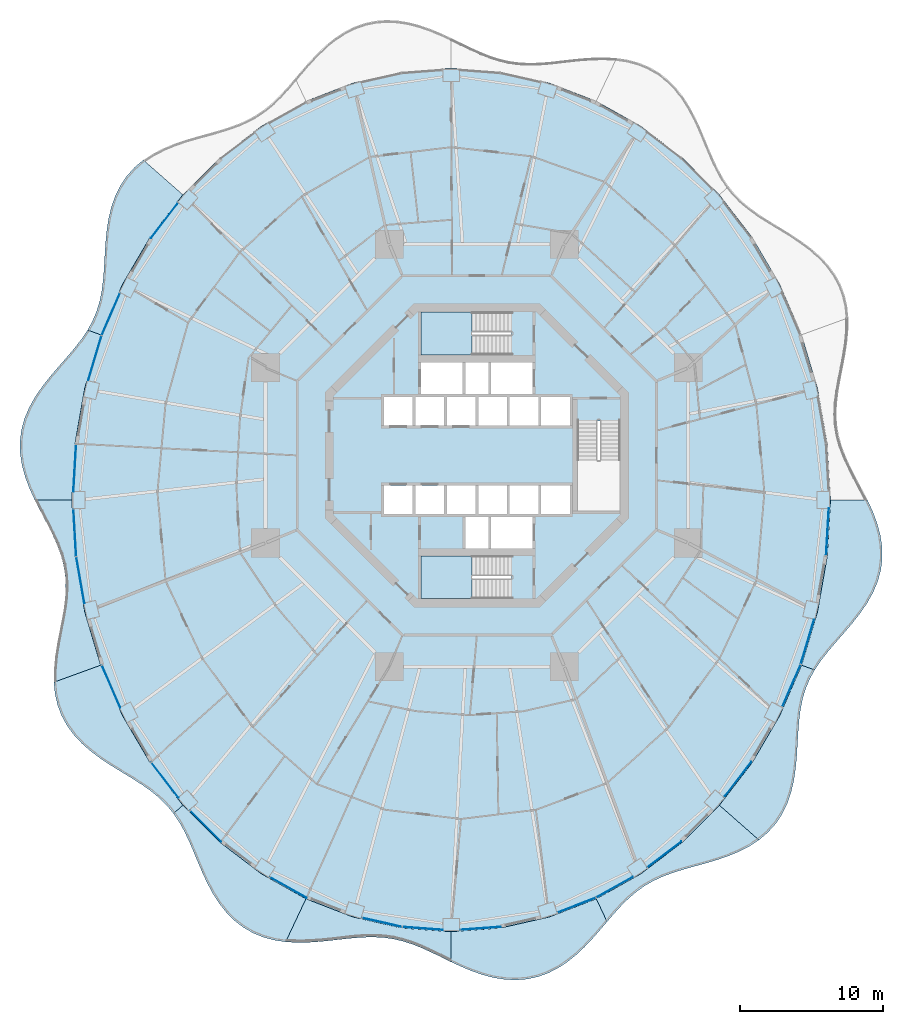
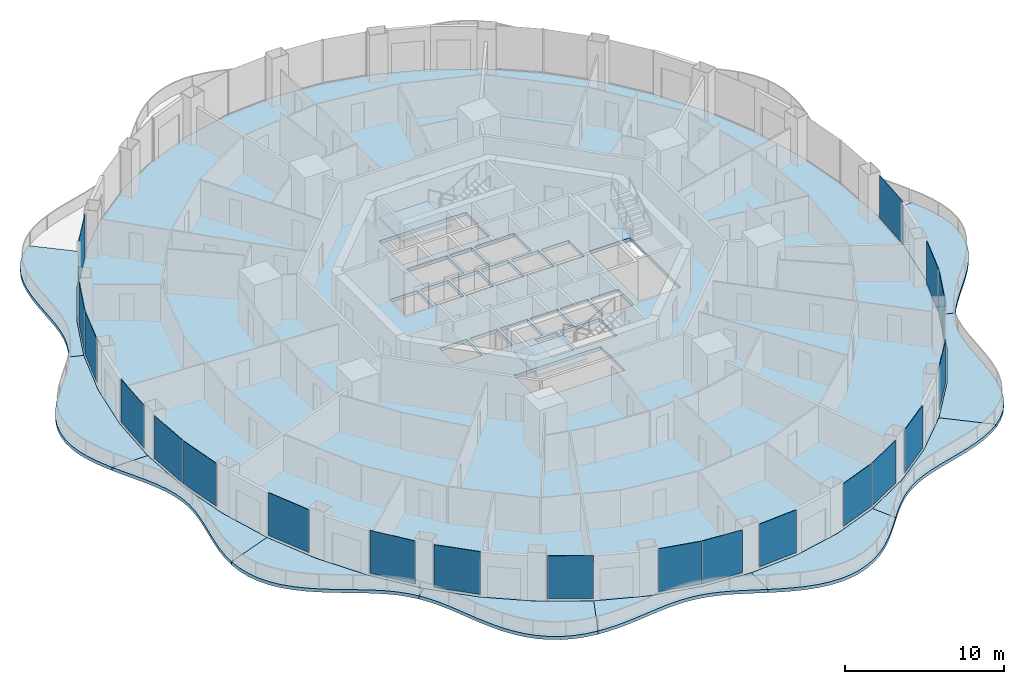
# One storey, part 10 of 20: 20 plates, 13 slabs, 22 elements without a shape of their own.
"""IFC4 building model written with IfcOpenShell, lengths in metres."""

from ifc_helpers import new_model, si_unit, direction, frame, origin, origin_2d, place, context, subcontext, project, spatial, polyline, rectangle, outline, extrude, material, layer, layer_set, type_object, element, aggregate, save


model = new_model("IFC4")

# Units and contexts
model_context = context("Model", 3, precision=1e-05, world=origin(), true_north=direction((0.0, 1.0)))
body_context = subcontext(model_context, "Body", "Model", "MODEL_VIEW")
ifc_project = project(units=[si_unit("LENGTHUNIT", "METRE"), si_unit("AREAUNIT", "SQUARE_METRE"), si_unit("VOLUMEUNIT", "CUBIC_METRE"), si_unit("PLANEANGLEUNIT", "RADIAN"), si_unit("MASSUNIT", "GRAM", prefix="KILO")], contexts=[model_context])

# Site, building, storey
site_placement = place(None, origin())
site = spatial("IfcSite", under=ifc_project, at=site_placement, CompositionType="ELEMENT")
building_placement = place(site_placement, origin())
building = spatial("IfcBuilding", under=site, at=building_placement, Name="Nagisa Residences", CompositionType="ELEMENT")
storey_placement = place(building_placement, frame((0.0, 0.0, 152.89990234375)))
storey = spatial("IfcBuildingStorey", under=building, at=storey_placement, Name="L38", CompositionType="ELEMENT", Elevation=152.89990234375)

# Slabs
ifc_material_1 = material(Name="Concrete C40/50", Category="concrete")
ifc_layer_1 = layer(ifc_material_1, 0.25)
ifc_layer_set_1 = layer_set([ifc_layer_1], Name="BALCONY SLAB 250")
slab_type_1 = type_object("IfcSlabType", Name="BALCONY SLAB 250", PredefinedType="FLOOR", material=ifc_layer_set_1)
slab_1_placement = place(storey_placement, frame((0.0, 0.0, -0.25)))
element("IfcSlab", 1, at=slab_1_placement, inside=storey, type_object=slab_type_1, Name="slab:L38:bal06", PredefinedType="FLOOR", context=body_context, shape_type="SweptSolid", body=[
    extrude(outline(polyline([(-23.328125, 20.663330078125), (-23.9521484375, 20.13525390625), (-24.492431640625, 19.533203125), (-24.942626953125, 18.86083984375), (-25.30126953125, 18.126708984375), (-25.572265625, 17.341796875), (-25.764892578125, 16.51904296875), (-25.892578125, 15.673095703125), (-25.972900390625, 14.818115234375), (-26.025634765625, 13.967529296875), (-26.072265625, 13.13330078125), (-26.134033203125, 12.324462890625), (-26.23046875, 11.54736328125), (-26.378173828125, 10.8046875), (-26.58935546875, 10.0966796875), (-26.871826171875, 9.420166015625), (-27.226806640625, 8.769287109375), (-26.315185546875, 8.4375), (-24.780029296875, 11.979736328125), (-22.8515625, 15.263916015625), (-20.56298828125, 18.2333984375), (-23.328125, 20.663330078125)])), origin(), (0.0, 0.0, 1.0), 0.25),
])
slab_2_placement = place(storey_placement, frame((0.0, 0.0, -0.25)))
element("IfcSlab", 2, at=slab_2_placement, inside=storey, type_object=slab_type_1, Name="slab:L38:bal07", PredefinedType="FLOOR", context=body_context, shape_type="SweptSolid", body=[
    extrude(outline(polyline([(-27.226806640625, 8.769287109375), (-27.6650390625, 8.11669921875), (-28.16552734375, 7.474365234375), (-28.71142578125, 6.831787109375), (-29.28173828125, 6.180419921875), (-29.852294921875, 5.51171875), (-30.39697265625, 4.819580078125), (-30.890625, 4.100830078125), (-31.31005859375, 3.35400390625), (-31.635498046875, 2.58056640625), (-31.853271484375, 1.78466796875), (-31.955322265625, 0.97119140625), (-31.940185546875, 0.1474609375), (-31.81396484375, -0.6796875), (-31.589111328125, -1.50341796875), (-31.283447265625, -2.3173828125), (-30.919677734375, -3.11767578125), (-28.3349609375, -3.11767578125), (-28.10791015625, 0.823486328125), (-27.430908203125, 4.697265625), (-26.315185546875, 8.4375), (-27.226806640625, 8.769287109375)])), origin(), (0.0, 0.0, 1.0), 0.25),
])
slab_3_placement = place(storey_placement, frame((0.0, 0.0, -0.25)))
element("IfcSlab", 3, at=slab_3_placement, inside=storey, type_object=slab_type_1, Name="slab:L38:bal08", PredefinedType="FLOOR", context=body_context, shape_type="SweptSolid", body=[
    extrude(outline(polyline([(-30.919677734375, -3.11767578125), (-30.523193359375, -3.901611328125), (-30.12060546875, -4.6689453125), (-29.737548828125, -5.421875), (-29.397216796875, -6.163818359375), (-29.11865234375, -6.900634765625), (-28.915283203125, -7.638916015625), (-28.794189453125, -8.384765625), (-28.755615234375, -9.144775390625), (-28.792724609375, -9.923828125), (-28.892822265625, -10.72509765625), (-29.037109375, -11.54931640625), (-29.203125, -12.394775390625), (-29.365966796875, -13.2568359375), (-29.499755859375, -14.128662109375), (-29.580322265625, -15.0009765625), (-29.585693359375, -15.86328125), (-26.315185546875, -14.6728515625), (-27.430908203125, -10.9326171875), (-28.10791015625, -7.058837890625), (-28.3349609375, -3.11767578125), (-30.919677734375, -3.11767578125)])), origin(), (0.0, 0.0, 1.0), 0.25),
])
slab_4_placement = place(storey_placement, frame((0.0, 0.0, -0.25)))
element("IfcSlab", 4, at=slab_4_placement, inside=storey, type_object=slab_type_1, Name="slab:L38:bal09", PredefinedType="FLOOR", context=body_context, shape_type="SweptSolid", body=[
    extrude(outline(polyline([(-29.585693359375, -15.86328125), (-29.502685546875, -16.67919921875), (-29.322021484375, -17.46533203125), (-29.038330078125, -18.213134765625), (-28.65185546875, -18.916015625), (-28.169189453125, -19.56884765625), (-27.6015625, -20.170654296875), (-26.96435546875, -20.722900390625), (-26.27685546875, -21.231201171875), (-25.5595703125, -21.703369140625), (-24.833984375, -22.150390625), (-24.120361328125, -22.585205078125), (-23.436279296875, -23.021728515625), (-22.79638671875, -23.473876953125), (-22.210693359375, -23.954833984375), (-21.684326171875, -24.475341796875), (-21.216796875, -25.043212890625), (-20.56298828125, -24.46875), (-22.8515625, -21.499267578125), (-24.780029296875, -18.215087890625), (-26.315185546875, -14.6728515625), (-29.585693359375, -15.86328125)])), origin(), (0.0, 0.0, 1.0), 0.25),
])
slab_5_placement = place(storey_placement, frame((0.0, 0.0, -0.25)))
element("IfcSlab", 5, at=slab_5_placement, inside=storey, type_object=slab_type_1, Name="slab:L38:bal10", PredefinedType="FLOOR", context=body_context, shape_type="SweptSolid", body=[
    extrude(outline(polyline([(-21.216796875, -25.043212890625), (-20.82177734375, -25.633056640625), (-20.467529296875, -26.269775390625), (-20.142578125, -26.94970703125), (-19.833984375, -27.665771484375), (-19.526611328125, -28.406982421875), (-19.205810546875, -29.15966796875), (-18.856689453125, -29.907958984375), (-18.467529296875, -30.634765625), (-18.027587890625, -31.322998046875), (-17.5302734375, -31.9560546875), (-16.971923828125, -32.519287109375), (-16.3525390625, -33.00146484375), (-15.67529296875, -33.39453125), (-14.947021484375, -33.69482421875), (-14.176513671875, -33.90380859375), (-13.374267578125, -34.026611328125), (-11.95458984375, -31.01416015625), (-15.0673828125, -29.267333984375), (-17.953369140625, -27.072998046875), (-20.56298828125, -24.46875), (-21.216796875, -25.043212890625)])), origin(), (0.0, 0.0, 1.0), 0.25),
])
slab_6_placement = place(storey_placement, frame((0.0, 0.0, -0.25)))
element("IfcSlab", 6, at=slab_6_placement, inside=storey, type_object=slab_type_1, Name="slab:L38:bal11", PredefinedType="FLOOR", context=body_context, shape_type="SweptSolid", body=[
    extrude(outline(polyline([(-13.374267578125, -34.026611328125), (-12.58203125, -34.072998046875), (-11.781005859375, -34.0615234375), (-10.9814453125, -34.007080078125), (-10.19140625, -33.9267578125), (-9.41748046875, -33.83837890625), (-8.6640625, -33.759033203125), (-7.932861328125, -33.705322265625), (-7.223876953125, -33.69091796875), (-6.534423828125, -33.72705078125), (-5.85986328125, -33.8203125), (-5.1953125, -33.9736328125), (-4.53369140625, -34.18505859375), (-3.86865234375, -34.4482421875), (-3.194580078125, -34.7529296875), (-2.506103515625, -35.085205078125), (-1.800048828125, -35.427978515625), (-1.800048828125, -33.312744140625), (-5.263427734375, -33.054443359375), (-8.667724609375, -32.283935546875), (-11.95458984375, -31.01416015625), (-13.374267578125, -34.026611328125)])), origin(), (0.0, 0.0, 1.0), 0.25),
])
slab_7_placement = place(storey_placement, frame((0.0, 0.0, -0.25)))
element("IfcSlab", 7, at=slab_7_placement, inside=storey, type_object=slab_type_1, Name="slab:L38:bal12", PredefinedType="FLOOR", context=body_context, shape_type="SweptSolid", body=[
    extrude(outline(polyline([(-1.800048828125, -35.427978515625), (-1.074951171875, -35.763427734375), (-0.331298828125, -36.07177734375), (0.42822265625, -36.334716796875), (1.19873046875, -36.534912109375), (1.974365234375, -36.65771484375), (2.747802734375, -36.69189453125), (3.510986328125, -36.630126953125), (4.25634765625, -36.4697265625), (4.976806640625, -36.2119140625), (5.66650390625, -35.86328125), (6.322021484375, -35.433837890625), (6.94140625, -34.93701171875), (7.525390625, -34.388916015625), (8.0771484375, -33.806884765625), (8.6025390625, -33.20947265625), (9.108642578125, -32.6142578125), (8.3544921875, -31.01416015625), (5.06787109375, -32.283935546875), (1.66357421875, -33.054443359375), (-1.800048828125, -33.312744140625), (-1.800048828125, -35.427978515625)])), origin(), (0.0, 0.0, 1.0), 0.25),
])
slab_8_placement = place(storey_placement, frame((0.0, 0.0, -0.25)))
element("IfcSlab", 8, at=slab_8_placement, inside=storey, type_object=slab_type_1, Name="slab:L38:bal13", PredefinedType="FLOOR", context=body_context, shape_type="SweptSolid", body=[
    extrude(outline(polyline([(9.108642578125, -32.6142578125), (9.623046875, -32.01611328125), (10.1376953125, -31.453369140625), (10.663330078125, -30.937744140625), (11.21044921875, -30.476806640625), (11.7880859375, -30.07373046875), (12.40234375, -29.726806640625), (13.056884765625, -29.430419921875), (13.751708984375, -29.175048828125), (14.4833984375, -28.94775390625), (15.244873046875, -28.734130859375), (16.025634765625, -28.51806640625), (16.813232421875, -28.283935546875), (17.593017578125, -28.0166015625), (18.348876953125, -27.703125), (19.0654296875, -27.332763671875), (19.728271484375, -26.898681640625), (16.963134765625, -24.46875), (14.353515625, -27.072998046875), (11.467529296875, -29.267333984375), (8.3544921875, -31.01416015625), (9.108642578125, -32.6142578125)])), origin(), (0.0, 0.0, 1.0), 0.25),
])
slab_9_placement = place(storey_placement, frame((0.0, 0.0, -0.25)))
element("IfcSlab", 9, at=slab_9_placement, inside=storey, type_object=slab_type_1, Name="slab:L38:bal14", PredefinedType="FLOOR", context=body_context, shape_type="SweptSolid", body=[
    extrude(outline(polyline([(19.728271484375, -26.898681640625), (20.35205078125, -26.370849609375), (20.892333984375, -25.7685546875), (21.342529296875, -25.09619140625), (21.701171875, -24.3623046875), (21.972412109375, -23.5771484375), (22.164794921875, -22.754638671875), (22.292724609375, -21.908447265625), (22.372802734375, -21.053466796875), (22.425537109375, -20.203125), (22.47216796875, -19.36865234375), (22.533935546875, -18.559814453125), (22.63037109375, -17.78271484375), (22.778076171875, -17.040283203125), (22.989501953125, -16.332275390625), (23.271728515625, -15.655517578125), (23.626953125, -15.004638671875), (22.715087890625, -14.6728515625), (21.179931640625, -18.215087890625), (19.251708984375, -21.499267578125), (16.963134765625, -24.46875), (19.728271484375, -26.898681640625)])), origin(), (0.0, 0.0, 1.0), 0.25),
])
slab_10_placement = place(storey_placement, frame((0.0, 0.0, -0.25)))
element("IfcSlab", 10, at=slab_10_placement, inside=storey, type_object=slab_type_1, Name="slab:L38:bal15", PredefinedType="FLOOR", context=body_context, shape_type="SweptSolid", body=[
    extrude(outline(polyline([(23.626953125, -15.004638671875), (24.065185546875, -14.35205078125), (24.5654296875, -13.709716796875), (25.111328125, -13.067138671875), (25.681640625, -12.415771484375), (26.252197265625, -11.7470703125), (26.796875, -11.054931640625), (27.29052734375, -10.336181640625), (27.7099609375, -9.58935546875), (28.03564453125, -8.81591796875), (28.25341796875, -8.02001953125), (28.355224609375, -7.20654296875), (28.340087890625, -6.3828125), (28.2138671875, -5.5556640625), (27.989013671875, -4.73193359375), (27.683349609375, -3.91796875), (27.319580078125, -3.11767578125), (24.735107421875, -3.11767578125), (24.508056640625, -7.058837890625), (23.830810546875, -10.9326171875), (22.715087890625, -14.6728515625), (23.626953125, -15.004638671875)])), origin(), (0.0, 0.0, 1.0), 0.25),
])

# Curtain wall, plate
ifc_material_2 = material(Name="Concrete-coloured aluminium curtain wall system", Category="concrete")
ifc_layer_2 = layer(ifc_material_2, 0.159912109375)
ifc_layer_set_2 = layer_set([ifc_layer_2], Name="CW1 CURTAIN WALL")
curtain_wall_type = type_object("IfcCurtainWallType", Name="CW1 CURTAIN WALL", PredefinedType="NOTDEFINED", material=ifc_layer_set_2)
curtain_wall_1_placement = place(storey_placement, origin())
curtain_wall_1 = element("IfcCurtainWall", 11, at=curtain_wall_1_placement, inside=storey, type_object=curtain_wall_type, Name="cw:CW1:L38:18", PredefinedType="NOTDEFINED")
ifc_material_3 = material(Name="Clear laminated glass", Category="glass")
ifc_layer_3 = layer(ifc_material_3, 0.028076171875)
ifc_layer_set_3 = layer_set([ifc_layer_3], Name="CW1 GLASS PANEL")
plate_type = type_object("IfcPlateType", Name="CW1 GLASS PANEL", PredefinedType="CURTAIN_PANEL", material=ifc_layer_set_3)
plate_1_placement = place(storey_placement, frame((-21.845458984375, 16.4384765625, 0.150146484375), z_axis=(0.0, 0.0, 1.0), x_axis=(-0.610429828235, -0.792070340816, 0.0)))
plate_1 = element("IfcPlate", 12, at=plate_1_placement, type_object=plate_type, Name="CW1 panel", PredefinedType="CURTAIN_PANEL", context=body_context, shape_type="SweptSolid", body=[
    extrude(rectangle(XDim=3.089111328125, YDim=0.028076171875, at=origin_2d()), origin(), (0.0, 0.0, 1.0), 3.2900390625),
])
aggregate(curtain_wall_1, [plate_1])

curtain_wall_2_placement = place(storey_placement, origin())
curtain_wall_2 = element("IfcCurtainWall", 13, at=curtain_wall_2_placement, inside=storey, type_object=curtain_wall_type, Name="cw:CW1:L38:20", PredefinedType="NOTDEFINED")
plate_2_placement = place(storey_placement, frame((-25.60546875, 9.8740234375, 0.150146484375), z_axis=(0.0, 0.0, 1.0), x_axis=(-0.397635934147, -0.917543276295, 0.0)))
plate_2 = element("IfcPlate", 14, at=plate_2_placement, type_object=plate_type, Name="CW1 panel", PredefinedType="CURTAIN_PANEL", context=body_context, shape_type="SweptSolid", body=[
    extrude(rectangle(XDim=3.20068359375, YDim=0.028076171875, at=origin_2d()), origin(), (0.0, 0.0, 1.0), 3.2900390625),
])
aggregate(curtain_wall_2, [plate_2])

curtain_wall_3_placement = place(storey_placement, origin())
curtain_wall_3 = element("IfcCurtainWall", 15, at=curtain_wall_3_placement, inside=storey, type_object=curtain_wall_type, Name="cw:CW1:L38:21", PredefinedType="NOTDEFINED")
plate_3_placement = place(storey_placement, frame((-26.71923828125, 6.80322265625, 0.150146484375), z_axis=(0.0, 0.0, 1.0), x_axis=(-0.285860274038, -0.958271310082, 0.0)))
plate_3 = element("IfcPlate", 16, at=plate_3_placement, type_object=plate_type, Name="CW1 panel", PredefinedType="CURTAIN_PANEL", context=body_context, shape_type="SweptSolid", body=[
    extrude(rectangle(XDim=3.242919921875, YDim=0.028076171875, at=origin_2d()), origin(), (0.0, 0.0, 1.0), 3.2900390625),
])
aggregate(curtain_wall_3, [plate_3])

curtain_wall_4_placement = place(storey_placement, origin())
curtain_wall_4 = element("IfcCurtainWall", 17, at=curtain_wall_4_placement, inside=storey, type_object=curtain_wall_type, Name="cw:CW1:L38:23", PredefinedType="NOTDEFINED")
plate_4_placement = place(storey_placement, frame((-28.126220703125, -0.882080078125, 0.150146484375), z_axis=(0.0, 0.0, 1.0), x_axis=(-0.057503492216, -0.998345305184, 0.0)))
plate_4 = element("IfcPlate", 18, at=plate_4_placement, type_object=plate_type, Name="CW1 panel", PredefinedType="CURTAIN_PANEL", context=body_context, shape_type="SweptSolid", body=[
    extrude(rectangle(XDim=3.287841796875, YDim=0.028076171875, at=origin_2d()), origin(), (0.0, 0.0, 1.0), 3.2900390625),
])
aggregate(curtain_wall_4, [plate_4])

curtain_wall_5_placement = place(storey_placement, origin())
curtain_wall_5 = element("IfcCurtainWall", 19, at=curtain_wall_5_placement, inside=storey, type_object=curtain_wall_type, Name="cw:CW1:L38:24", PredefinedType="NOTDEFINED")
plate_5_placement = place(storey_placement, frame((-28.12255859375, -5.4130859375, 0.150146484375), z_axis=(0.0, 0.0, 1.0), x_axis=(0.057503492216, -0.998345305184, 0.0)))
plate_5 = element("IfcPlate", 20, at=plate_5_placement, type_object=plate_type, Name="CW1 panel", PredefinedType="CURTAIN_PANEL", context=body_context, shape_type="SweptSolid", body=[
    extrude(rectangle(XDim=3.287841796875, YDim=0.028076171875, at=origin_2d()), origin(), (0.0, 0.0, 1.0), 3.2900390625),
])
aggregate(curtain_wall_5, [plate_5])

curtain_wall_6_placement = place(storey_placement, origin())
curtain_wall_6 = element("IfcCurtainWall", 21, at=curtain_wall_6_placement, inside=storey, type_object=curtain_wall_type, Name="cw:CW1:L38:25", PredefinedType="NOTDEFINED")
plate_6_placement = place(storey_placement, frame((-27.737060546875, -8.716064453125, 0.150146484375), z_axis=(0.0, 0.0, 1.0), x_axis=(0.172190868898, -0.985063604377, 0.0)))
plate_6 = element("IfcPlate", 22, at=plate_6_placement, type_object=plate_type, Name="CW1 panel", PredefinedType="CURTAIN_PANEL", context=body_context, shape_type="SweptSolid", body=[
    extrude(rectangle(XDim=3.2724609375, YDim=0.028076171875, at=origin_2d()), origin(), (0.0, 0.0, 1.0), 3.2900390625),
])
aggregate(curtain_wall_6, [plate_6])

curtain_wall_7_placement = place(storey_placement, origin())
curtain_wall_7 = element("IfcCurtainWall", 23, at=curtain_wall_7_placement, inside=storey, type_object=curtain_wall_type, Name="cw:CW1:L38:27", PredefinedType="NOTDEFINED")
plate_7_placement = place(storey_placement, frame((-25.58154296875, -16.16455078125, 0.150146484375), z_axis=(0.0, 0.0, 1.0), x_axis=(0.397635934147, -0.917543276295, 0.0)))
plate_7 = element("IfcPlate", 24, at=plate_7_placement, type_object=plate_type, Name="CW1 panel", PredefinedType="CURTAIN_PANEL", context=body_context, shape_type="SweptSolid", body=[
    extrude(rectangle(XDim=3.20068359375, YDim=0.028076171875, at=origin_2d()), origin(), (0.0, 0.0, 1.0), 3.2900390625),
])
aggregate(curtain_wall_7, [plate_7])

curtain_wall_8_placement = place(storey_placement, origin())
curtain_wall_8 = element("IfcCurtainWall", 25, at=curtain_wall_8_placement, inside=storey, type_object=curtain_wall_type, Name="cw:CW1:L38:29", PredefinedType="NOTDEFINED")
plate_8_placement = place(storey_placement, frame((-21.808837890625, -22.721435546875, 0.150146484375), z_axis=(0.0, 0.0, 1.0), x_axis=(0.610429828235, -0.792070340816, 0.0)))
plate_8 = element("IfcPlate", 26, at=plate_8_placement, type_object=plate_type, Name="CW1 panel", PredefinedType="CURTAIN_PANEL", context=body_context, shape_type="SweptSolid", body=[
    extrude(rectangle(XDim=3.089111328125, YDim=0.028076171875, at=origin_2d()), origin(), (0.0, 0.0, 1.0), 3.2900390625),
])
aggregate(curtain_wall_8, [plate_8])

curtain_wall_9_placement = place(storey_placement, origin())
curtain_wall_9 = element("IfcCurtainWall", 27, at=curtain_wall_9_placement, inside=storey, type_object=curtain_wall_type, Name="cw:CW1:L38:30", PredefinedType="NOTDEFINED")
plate_9_placement = place(storey_placement, frame((-18.96826171875, -25.947265625, 0.150146484375), z_axis=(0.0, 0.0, 1.0), x_axis=(0.707835924016, -0.706376885714, 0.0)))
plate_9 = element("IfcPlate", 28, at=plate_9_placement, type_object=plate_type, Name="CW1 panel", PredefinedType="CURTAIN_PANEL", context=body_context, shape_type="SweptSolid", body=[
    extrude(rectangle(XDim=3.026611328125, YDim=0.028076171875, at=origin_2d()), origin(), (0.0, 0.0, 1.0), 3.2900390625),
])
aggregate(curtain_wall_9, [plate_9])

curtain_wall_10_placement = place(storey_placement, origin())
curtain_wall_10 = element("IfcCurtainWall", 29, at=curtain_wall_10_placement, inside=storey, type_object=curtain_wall_type, Name="cw:CW1:L38:32", PredefinedType="NOTDEFINED")
plate_10_placement = place(storey_placement, frame((-13.18408203125, -30.232421875, 0.150146484375), z_axis=(0.0, 0.0, 1.0), x_axis=(0.872072377523, -0.489376918501, 0.0)))
plate_10 = element("IfcPlate", 30, at=plate_10_placement, type_object=plate_type, Name="CW1 panel", PredefinedType="CURTAIN_PANEL", context=body_context, shape_type="SweptSolid", body=[
    extrude(rectangle(XDim=2.90966796875, YDim=0.028076171875, at=origin_2d()), origin(), (0.0, 0.0, 1.0), 3.2900390625),
])
aggregate(curtain_wall_10, [plate_10])

curtain_wall_11_placement = place(storey_placement, origin())
curtain_wall_11 = element("IfcCurtainWall", 31, at=curtain_wall_11_placement, inside=storey, type_object=curtain_wall_type, Name="cw:CW1:L38:34", PredefinedType="NOTDEFINED")
plate_11_placement = place(storey_placement, frame((-6.626220703125, -32.663818359375, 0.150146484375), z_axis=(0.0, 0.0, 1.0), x_axis=(0.975327274089, -0.2207639201, 0.0)))
plate_11 = element("IfcPlate", 32, at=plate_11_placement, type_object=plate_type, Name="CW1 panel", PredefinedType="CURTAIN_PANEL", context=body_context, shape_type="SweptSolid", body=[
    extrude(rectangle(XDim=2.830322265625, YDim=0.028076171875, at=origin_2d()), origin(), (0.0, 0.0, 1.0), 3.2900390625),
])
aggregate(curtain_wall_11, [plate_11])

curtain_wall_12_placement = place(storey_placement, origin())
curtain_wall_12 = element("IfcCurtainWall", 33, at=curtain_wall_12_placement, inside=storey, type_object=curtain_wall_type, Name="cw:CW1:L38:35", PredefinedType="NOTDEFINED")
plate_12_placement = place(storey_placement, frame((-3.795166015625, -33.083740234375, 0.150146484375), z_axis=(0.0, 0.0, 1.0), x_axis=(0.997230168512, -0.074377355493, 0.0)))
plate_12 = element("IfcPlate", 34, at=plate_12_placement, type_object=plate_type, Name="CW1 panel", PredefinedType="CURTAIN_PANEL", context=body_context, shape_type="SweptSolid", body=[
    extrude(rectangle(XDim=2.813232421875, YDim=0.028076171875, at=origin_2d()), origin(), (0.0, 0.0, 1.0), 3.2900390625),
])
aggregate(curtain_wall_12, [plate_12])

curtain_wall_13_placement = place(storey_placement, origin())
curtain_wall_13 = element("IfcCurtainWall", 35, at=curtain_wall_13_placement, inside=storey, type_object=curtain_wall_type, Name="cw:CW1:L38:36", PredefinedType="NOTDEFINED")
plate_13_placement = place(storey_placement, frame((0.2548828125, -33.0791015625, 0.150146484375), z_axis=(0.0, 0.0, 1.0), x_axis=(0.997230168512, 0.074377355493, 0.0)))
plate_13 = element("IfcPlate", 36, at=plate_13_placement, type_object=plate_type, Name="CW1 panel", PredefinedType="CURTAIN_PANEL", context=body_context, shape_type="SweptSolid", body=[
    extrude(rectangle(XDim=2.813232421875, YDim=0.028076171875, at=origin_2d()), origin(), (0.0, 0.0, 1.0), 3.2900390625),
])
aggregate(curtain_wall_13, [plate_13])

curtain_wall_14_placement = place(storey_placement, origin())
curtain_wall_14 = element("IfcCurtainWall", 37, at=curtain_wall_14_placement, inside=storey, type_object=curtain_wall_type, Name="cw:CW1:L38:38", PredefinedType="NOTDEFINED")
plate_14_placement = place(storey_placement, frame((6.990234375, -31.45556640625, 0.150146484375), z_axis=(0.0, 0.0, 1.0), x_axis=(0.932825759707, 0.360327770268, 0.0)))
plate_14 = element("IfcPlate", 38, at=plate_14_placement, type_object=plate_type, Name="CW1 panel", PredefinedType="CURTAIN_PANEL", context=body_context, shape_type="SweptSolid", body=[
    extrude(rectangle(XDim=2.863525390625, YDim=0.028076171875, at=origin_2d()), origin(), (0.0, 0.0, 1.0), 3.2900390625),
])
aggregate(curtain_wall_14, [plate_14])

curtain_wall_15_placement = place(storey_placement, origin())
curtain_wall_15 = element("IfcCurtainWall", 39, at=curtain_wall_15_placement, inside=storey, type_object=curtain_wall_type, Name="cw:CW1:L38:39", PredefinedType="NOTDEFINED")
plate_15_placement = place(storey_placement, frame((9.636474609375, -30.203125, 0.150146484375), z_axis=(0.0, 0.0, 1.0), x_axis=(0.872072377523, 0.489376918501, 0.0)))
plate_15 = element("IfcPlate", 40, at=plate_15_placement, type_object=plate_type, Name="CW1 panel", PredefinedType="CURTAIN_PANEL", context=body_context, shape_type="SweptSolid", body=[
    extrude(rectangle(XDim=2.90966796875, YDim=0.028076171875, at=origin_2d()), origin(), (0.0, 0.0, 1.0), 3.2900390625),
])
aggregate(curtain_wall_15, [plate_15])

curtain_wall_16_placement = place(storey_placement, origin())
curtain_wall_16 = element("IfcCurtainWall", 41, at=curtain_wall_16_placement, inside=storey, type_object=curtain_wall_type, Name="cw:CW1:L38:40", PredefinedType="NOTDEFINED")
plate_16_placement = place(storey_placement, frame((13.124755859375, -27.90673828125, 0.150146484375), z_axis=(0.0, 0.0, 1.0), x_axis=(0.79603132756, 0.605255421737, 0.0)))
plate_16 = element("IfcPlate", 42, at=plate_16_placement, type_object=plate_type, Name="CW1 panel", PredefinedType="CURTAIN_PANEL", context=body_context, shape_type="SweptSolid", body=[
    extrude(rectangle(XDim=2.965576171875, YDim=0.028076171875, at=origin_2d()), origin(), (0.0, 0.0, 1.0), 3.2900390625),
])
aggregate(curtain_wall_16, [plate_16])

curtain_wall_17_placement = place(storey_placement, origin())
curtain_wall_17 = element("IfcCurtainWall", 43, at=curtain_wall_17_placement, inside=storey, type_object=curtain_wall_type, Name="cw:CW1:L38:42", PredefinedType="NOTDEFINED")
plate_17_placement = place(storey_placement, frame((18.245361328125, -22.673828125, 0.150146484375), z_axis=(0.0, 0.0, 1.0), x_axis=(0.610429828235, 0.792070340816, 0.0)))
plate_17 = element("IfcPlate", 44, at=plate_17_placement, type_object=plate_type, Name="CW1 panel", PredefinedType="CURTAIN_PANEL", context=body_context, shape_type="SweptSolid", body=[
    extrude(rectangle(XDim=3.089111328125, YDim=0.028076171875, at=origin_2d()), origin(), (0.0, 0.0, 1.0), 3.2900390625),
])
aggregate(curtain_wall_17, [plate_17])

curtain_wall_18_placement = place(storey_placement, origin())
curtain_wall_18 = element("IfcCurtainWall", 45, at=curtain_wall_18_placement, inside=storey, type_object=curtain_wall_type, Name="cw:CW1:L38:44", PredefinedType="NOTDEFINED")
plate_18_placement = place(storey_placement, frame((22.00537109375, -16.109375, 0.150146484375), z_axis=(0.0, 0.0, 1.0), x_axis=(0.397635934147, 0.917543276295, 0.0)))
plate_18 = element("IfcPlate", 46, at=plate_18_placement, type_object=plate_type, Name="CW1 panel", PredefinedType="CURTAIN_PANEL", context=body_context, shape_type="SweptSolid", body=[
    extrude(rectangle(XDim=3.20068359375, YDim=0.028076171875, at=origin_2d()), origin(), (0.0, 0.0, 1.0), 3.2900390625),
])
aggregate(curtain_wall_18, [plate_18])

curtain_wall_19_placement = place(storey_placement, origin())
curtain_wall_19 = element("IfcCurtainWall", 47, at=curtain_wall_19_placement, inside=storey, type_object=curtain_wall_type, Name="cw:CW1:L38:45", PredefinedType="NOTDEFINED")
plate_19_placement = place(storey_placement, frame((23.119140625, -13.03857421875, 0.150146484375), z_axis=(0.0, 0.0, 1.0), x_axis=(0.285860274038, 0.958271310082, 0.0)))
plate_19 = element("IfcPlate", 48, at=plate_19_placement, type_object=plate_type, Name="CW1 panel", PredefinedType="CURTAIN_PANEL", context=body_context, shape_type="SweptSolid", body=[
    extrude(rectangle(XDim=3.242919921875, YDim=0.028076171875, at=origin_2d()), origin(), (0.0, 0.0, 1.0), 3.2900390625),
])
aggregate(curtain_wall_19, [plate_19])

curtain_wall_20_placement = place(storey_placement, origin())
curtain_wall_20 = element("IfcCurtainWall", 49, at=curtain_wall_20_placement, inside=storey, type_object=curtain_wall_type, Name="cw:CW1:L38:47", PredefinedType="NOTDEFINED")
plate_20_placement = place(storey_placement, frame((24.526123046875, -5.353271484375, 0.150146484375), z_axis=(0.0, 0.0, 1.0), x_axis=(0.057503492216, 0.998345305184, 0.0)))
plate_20 = element("IfcPlate", 50, at=plate_20_placement, type_object=plate_type, Name="CW1 panel", PredefinedType="CURTAIN_PANEL", context=body_context, shape_type="SweptSolid", body=[
    extrude(rectangle(XDim=3.287841796875, YDim=0.028076171875, at=origin_2d()), origin(), (0.0, 0.0, 1.0), 3.2900390625),
])
aggregate(curtain_wall_20, [plate_20])

# Slab
ifc_material_4 = material(Name="Concrete C40", Category="concrete")
ifc_layer_4 = layer(ifc_material_4, 0.260009765625)
ifc_layer_set_4 = layer_set([ifc_layer_4], Name="Floor slab 260")
slab_type_2 = type_object("IfcSlabType", Name="Floor slab 260", PredefinedType="FLOOR", material=ifc_layer_set_4)
slab_11_placement = place(storey_placement, frame((0.0, 0.0, -0.260009765625)))
element("IfcSlab", 51, at=slab_11_placement, inside=storey, type_object=slab_type_2, Name="slab:L38:floor", PredefinedType="FLOOR", context=body_context, shape_type="SweptSolid", body=[
    extrude(outline(polyline([(24.735107421875, -3.11767578125), (24.508056640625, 0.823486328125), (23.830810546875, 4.697265625), (22.715087890625, 8.4375), (21.179931640625, 11.979736328125), (19.251708984375, 15.263916015625), (16.963134765625, 18.2333984375), (14.353515625, 20.837646484375), (11.467529296875, 23.031982421875), (8.3544921875, 24.77880859375), (5.06787109375, 26.04833984375), (1.66357421875, 26.819091796875), (-1.800048828125, 27.077392578125), (-5.263427734375, 26.819091796875), (-8.667724609375, 26.04833984375), (-11.95458984375, 24.77880859375), (-15.0673828125, 23.031982421875), (-17.953369140625, 20.837646484375), (-20.56298828125, 18.2333984375), (-22.8515625, 15.263916015625), (-24.780029296875, 11.979736328125), (-26.315185546875, 8.4375), (-27.430908203125, 4.697265625), (-28.10791015625, 0.823486328125), (-28.3349609375, -3.11767578125), (-28.10791015625, -7.058837890625), (-27.430908203125, -10.9326171875), (-26.315185546875, -14.6728515625), (-24.780029296875, -18.215087890625), (-22.8515625, -21.499267578125), (-20.56298828125, -24.46875), (-17.953369140625, -27.072998046875), (-15.0673828125, -29.267333984375), (-11.95458984375, -31.01416015625), (-8.667724609375, -32.283935546875), (-5.263427734375, -33.054443359375), (-1.800048828125, -33.312744140625), (1.66357421875, -33.054443359375), (5.06787109375, -32.283935546875), (8.3544921875, -31.01416015625), (11.467529296875, -29.267333984375), (14.353515625, -27.072998046875), (16.963134765625, -24.46875), (19.251708984375, -21.499267578125), (21.179931640625, -18.215087890625), (22.715087890625, -14.6728515625), (23.830810546875, -10.9326171875), (24.508056640625, -7.058837890625), (24.735107421875, -3.11767578125)]), holes=[polyline([(-4.5, 2.10009765625), (-4.5, 4.10009765625), (-6.5, 4.10009765625), (-6.5, 2.10009765625), (-4.5, 2.10009765625)]), polyline([(-2.300048828125, 2.10009765625), (-2.300048828125, 4.10009765625), (-4.300048828125, 4.10009765625), (-4.300048828125, 2.10009765625), (-2.300048828125, 2.10009765625)]), polyline([(-0.10009765625, 2.10009765625), (-0.10009765625, 4.10009765625), (-2.10009765625, 4.10009765625), (-2.10009765625, 2.10009765625), (-0.10009765625, 2.10009765625)]), polyline([(2.10009765625, 2.10009765625), (2.10009765625, 4.10009765625), (0.10009765625, 4.10009765625), (0.10009765625, 2.10009765625), (2.10009765625, 2.10009765625)]), polyline([(4.300048828125, 2.10009765625), (4.300048828125, 4.10009765625), (2.300048828125, 4.10009765625), (2.300048828125, 2.10009765625), (4.300048828125, 2.10009765625)]), polyline([(6.5, 2.10009765625), (6.5, 4.10009765625), (4.5, 4.10009765625), (4.5, 2.10009765625), (6.5, 2.10009765625)]), polyline([(-4.5, -4.10009765625), (-4.5, -2.10009765625), (-6.5, -2.10009765625), (-6.5, -4.10009765625), (-4.5, -4.10009765625)]), polyline([(-2.300048828125, -4.10009765625), (-2.300048828125, -2.10009765625), (-4.300048828125, -2.10009765625), (-4.300048828125, -4.10009765625), (-2.300048828125, -4.10009765625)]), polyline([(-0.10009765625, -4.10009765625), (-0.10009765625, -2.10009765625), (-2.10009765625, -2.10009765625), (-2.10009765625, -4.10009765625), (-0.10009765625, -4.10009765625)]), polyline([(2.10009765625, -4.10009765625), (2.10009765625, -2.10009765625), (0.10009765625, -2.10009765625), (0.10009765625, -4.10009765625), (2.10009765625, -4.10009765625)]), polyline([(4.300048828125, -4.10009765625), (4.300048828125, -2.10009765625), (2.300048828125, -2.10009765625), (2.300048828125, -4.10009765625), (4.300048828125, -4.10009765625)]), polyline([(6.5, -4.10009765625), (6.5, -2.10009765625), (4.5, -2.10009765625), (4.5, -4.10009765625), (6.5, -4.10009765625)]), polyline([(3.89990234375, 4.300048828125), (3.89990234375, 6.5), (1.0, 6.5), (1.0, 4.300048828125), (3.89990234375, 4.300048828125)]), polyline([(3.89990234375, -6.5), (3.89990234375, -4.300048828125), (1.0, -4.300048828125), (1.0, -6.5), (3.89990234375, -6.5)]), polyline([(-1.0, 4.300048828125), (-1.0, 6.5), (-3.89990234375, 6.5), (-3.89990234375, 4.300048828125), (-1.0, 4.300048828125)]), polyline([(0.800048828125, 4.300048828125), (0.800048828125, 6.5), (-0.800048828125, 6.5), (-0.800048828125, 4.300048828125), (0.800048828125, 4.300048828125)]), polyline([(0.800048828125, -6.5), (0.800048828125, -4.300048828125), (-0.800048828125, -4.300048828125), (-0.800048828125, -6.5), (0.800048828125, -6.5)]), polyline([(10.024658203125, -3.89990234375), (7.024658203125, -3.89990234375), (7.024658203125, 2.425048828125), (10.024658203125, 2.425048828125), (10.024658203125, -3.89990234375)]), polyline([(-3.89990234375, 7.024658203125), (-3.89990234375, 10.024658203125), (2.425048828125, 10.024658203125), (2.425048828125, 7.024658203125), (-3.89990234375, 7.024658203125)]), polyline([(-3.89990234375, -10.024658203125), (-3.89990234375, -7.024658203125), (2.425048828125, -7.024658203125), (2.425048828125, -10.024658203125), (-3.89990234375, -10.024658203125)])]), origin(), (0.0, 0.0, 1.0), 0.260009765625),
])

# Stair, slab
ifc_material_5 = material(Name="Concrete C60", Category="concrete")
stair_type = type_object("IfcStairType", Name="Exit stair", PredefinedType="HALF_TURN_STAIR", material=ifc_material_5)
stair_1_placement = place(storey_placement, origin())
stair_1 = element("IfcStair", 52, at=stair_1_placement, inside=storey, type_object=stair_type, Name="L38 Exit stair N", PredefinedType="HALF_TURN_STAIR")
ifc_material_6 = material(Name="Concrete C60", Category="concrete")
ifc_layer_5 = layer(ifc_material_6, 0.199951171875)
ifc_layer_set_5 = layer_set([ifc_layer_5], Name="Stair landing")
slab_type_3 = type_object("IfcSlabType", Name="Stair landing", PredefinedType="LANDING", material=ifc_layer_set_5)
slab_12_placement = place(storey_placement, frame((0.0, 0.0, 1.650146484375)))
slab_12 = element("IfcSlab", 53, at=slab_12_placement, type_object=slab_type_3, Name="ST-N landing 1", PredefinedType="LANDING", context=body_context, shape_type="SweptSolid", body=[
    extrude(outline(polyline([(-0.324951171875, 10.024658203125), (-3.89990234375, 10.024658203125), (-3.89990234375, 7.024658203125), (-0.324951171875, 7.024658203125), (-0.324951171875, 10.024658203125)])), origin(), (0.0, 0.0, 1.0), 0.199951171875),
])
aggregate(stair_1, [slab_12])

stair_2_placement = place(storey_placement, origin())
stair_2 = element("IfcStair", 54, at=stair_2_placement, inside=storey, type_object=stair_type, Name="L38 Exit stair S", PredefinedType="HALF_TURN_STAIR")
slab_13_placement = place(storey_placement, frame((0.0, 0.0, 1.650146484375)))
slab_13 = element("IfcSlab", 55, at=slab_13_placement, type_object=slab_type_3, Name="ST-S landing 1", PredefinedType="LANDING", context=body_context, shape_type="SweptSolid", body=[
    extrude(outline(polyline([(-0.324951171875, -7.024658203125), (-3.89990234375, -7.024658203125), (-3.89990234375, -10.024658203125), (-0.324951171875, -10.024658203125), (-0.324951171875, -7.024658203125)])), origin(), (0.0, 0.0, 1.0), 0.199951171875),
])
aggregate(stair_2, [slab_13])

save(model, "model.ifc")
